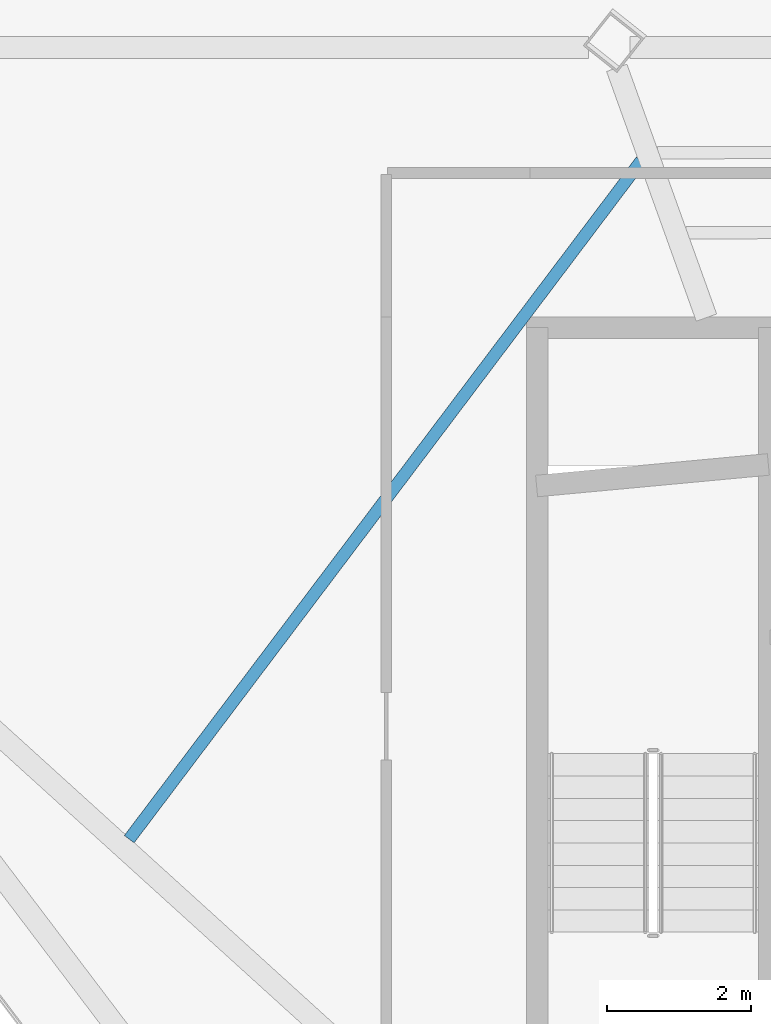
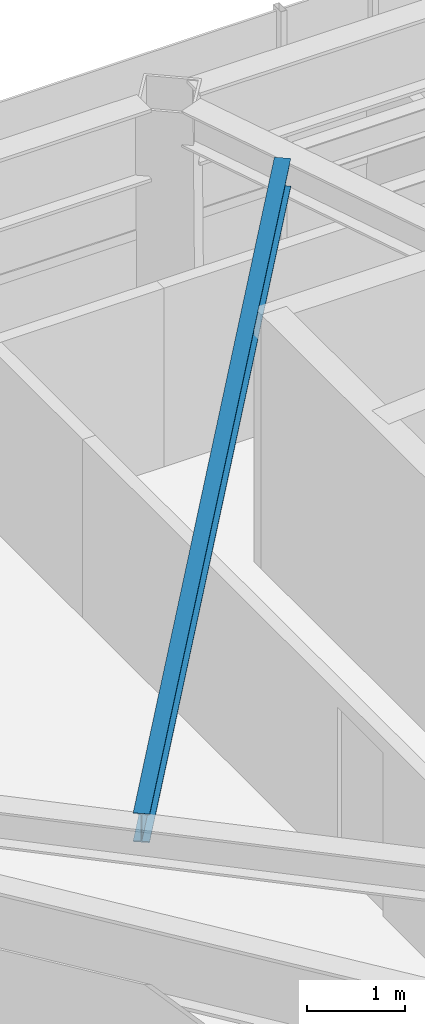
# One storey, part 9 of 25: 1 beam.
"""IFC4 building model written with IfcOpenShell, lengths in metres."""

from ifc_helpers import new_model, si_unit, direction, frame, origin, origin_2d, place, context, subcontext, project, spatial, i_section, extrude, material, material_profile, profile_set, type_object, element, save


model = new_model("IFC4")

# Units and contexts
model_context = context("Model", 3, precision=1e-05, world=origin(), true_north=direction((0.0, 1.0)))
body_context = subcontext(model_context, "Body", "Model", "MODEL_VIEW")
ifc_project = project(units=[si_unit("LENGTHUNIT", "METRE"), si_unit("AREAUNIT", "SQUARE_METRE"), si_unit("VOLUMEUNIT", "CUBIC_METRE"), si_unit("PLANEANGLEUNIT", "RADIAN"), si_unit("MASSUNIT", "GRAM", prefix="KILO")], contexts=[model_context])

# Site, building, storey
site_placement = place(None, origin())
site = spatial("IfcSite", under=ifc_project, at=site_placement, CompositionType="ELEMENT")
building_placement = place(site_placement, origin())
building = spatial("IfcBuilding", under=site, at=building_placement, Name="Zarrinselat Tower", CompositionType="ELEMENT")
storey_placement = place(building_placement, frame((0.0, 0.0, 246.159912109375)))
storey = spatial("IfcBuildingStorey", under=building, at=storey_placement, Name="L62", CompositionType="ELEMENT", Elevation=246.159912109375)

# Beam
ifc_material = material(Name="Steel S355J2", Category="steel")
ifc_material_profile = material_profile(ifc_material, i_section(OverallWidth=0.169921875, OverallDepth=0.360107421875, WebThickness=0.008056640625, FlangeThickness=0.0126953125, at=origin_2d()), Name="IPE 360")
ifc_profile_set = profile_set([ifc_material_profile], Name="Steel S355J2")
beam_type = type_object("IfcBeamType", Name="BM-IPE360", PredefinedType="JOIST", material=ifc_profile_set)
beam_placement = place(storey_placement, frame((22.9794921875, 36.29296875, 3.0), z_axis=(0.602405414779, 0.798190275715, 0.0), x_axis=(-0.798190275715, 0.602405414779, 0.0)))
element("IfcBeam", 1, at=beam_placement, inside=storey, type_object=beam_type, Name="L62 Composite Floor Joist 9-1", PredefinedType="JOIST", context=body_context, shape_type="SweptSolid", body=[
    extrude(i_section(OverallWidth=0.169921875, OverallDepth=0.360107421875, WebThickness=0.008056640625, FlangeThickness=0.0126953125, at=origin_2d()), origin(), (0.0, 0.0, 1.0), 11.808837890625),
])

save(model, "model.ifc")
